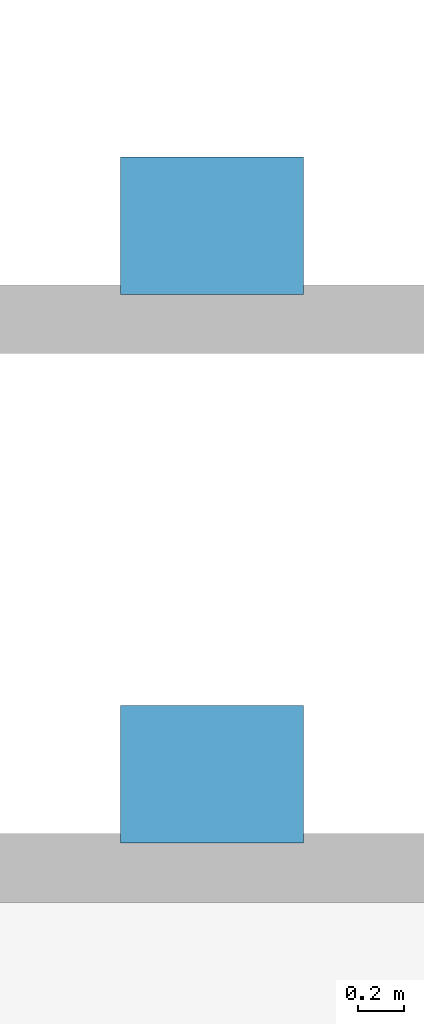
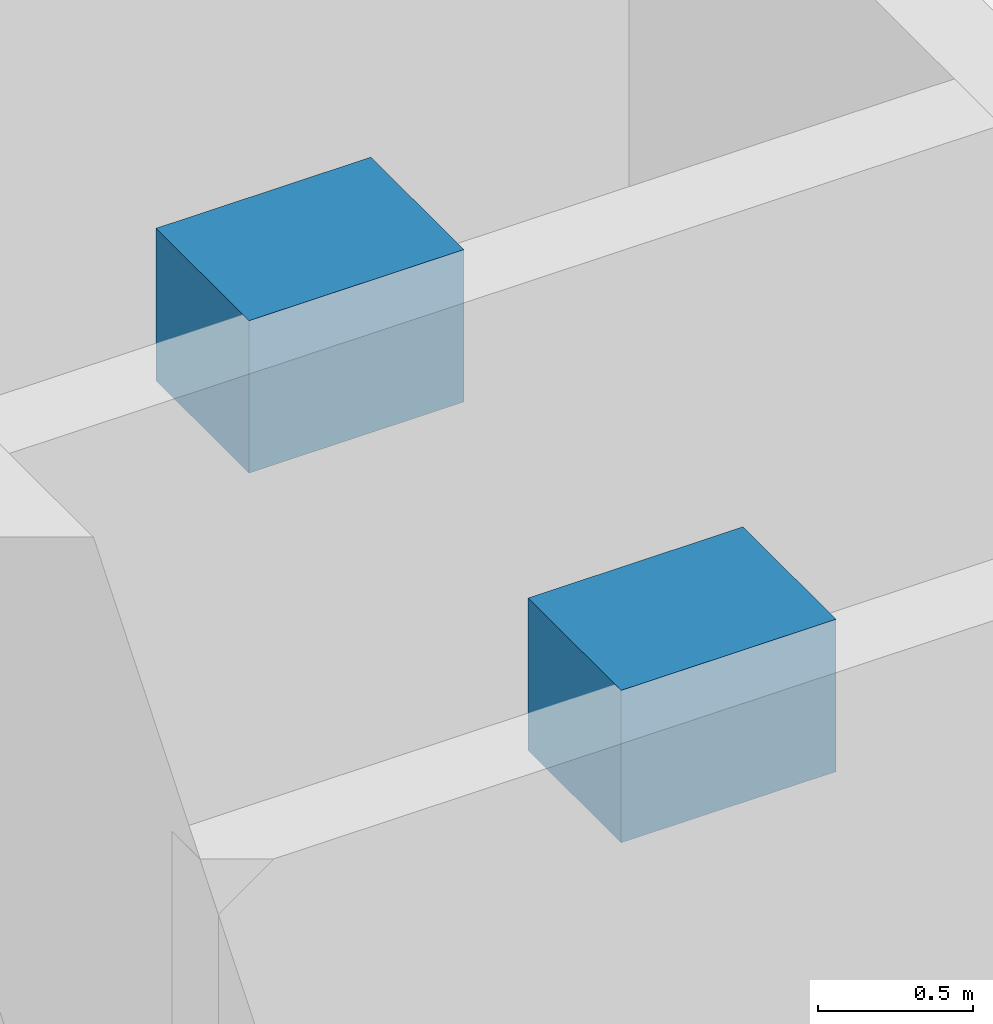
# One storey, part 33 of 42: 2 discrete accessories.
"""IFC4 building model written with IfcOpenShell, lengths in metres."""

from ifc_helpers import new_model, si_unit, direction, frame, origin, origin_2d, place, context, subcontext, project, spatial, rectangle, extrude, element, save


model = new_model("IFC4")

# Units and contexts
model_context = context("Model", 3, precision=1e-05, world=origin(), true_north=direction((0.0, 1.0)))
body_context = subcontext(model_context, "Body", "Model", "MODEL_VIEW")
ifc_project = project(units=[si_unit("LENGTHUNIT", "METRE"), si_unit("AREAUNIT", "SQUARE_METRE"), si_unit("VOLUMEUNIT", "CUBIC_METRE"), si_unit("PLANEANGLEUNIT", "RADIAN"), si_unit("MASSUNIT", "GRAM", prefix="KILO")], contexts=[model_context])

# Site, building, storey
site_placement = place(None, origin())
site = spatial("IfcSite", under=ifc_project, at=site_placement, CompositionType="ELEMENT")
building_placement = place(site_placement, origin())
building = spatial("IfcBuilding", under=site, at=building_placement, Name="Kolab Exchange Tower", CompositionType="ELEMENT")
storey_placement = place(building_placement, frame((0.0, 0.0, 133.39990234375)))
storey = spatial("IfcBuildingStorey", under=building, at=storey_placement, Name="L26", CompositionType="ELEMENT", Elevation=133.39990234375)

# Discrete accessories
for number, where, z_axis, x_axis, name in (
    (1, (12.0, 2.81005859375, 3.800048828125), (0.0, 0.0, 1.0), (1.0, 0.0, 0.0), "Lift machine SH1"),
    (2, (12.0, 5.2099609375, 3.800048828125), (0.0, 0.0, 1.0), (1.0, 0.0, 0.0), "Lift machine SH2"),
):
    element("IfcDiscreteAccessory", number, at=place(storey_placement, frame(where, z_axis=z_axis, x_axis=x_axis)), inside=storey, Name=name, ObjectType="LIFT MACHINE", PredefinedType="USERDEFINED", context=body_context, shape_type="SweptSolid", body=[
        extrude(rectangle(XDim=0.800048828125, YDim=0.60009765625, at=origin_2d()), origin(), (0.0, 0.0, 1.0), 0.60009765625),
    ])

save(model, "model.ifc")
